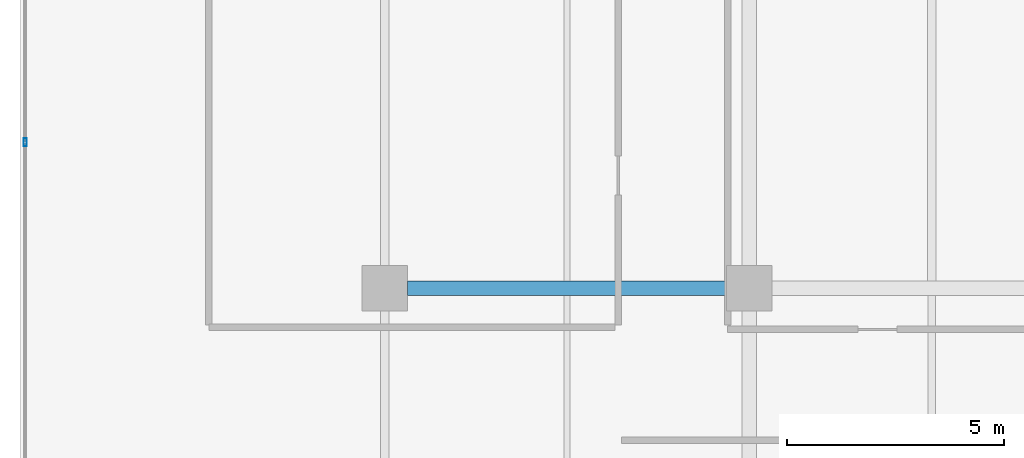
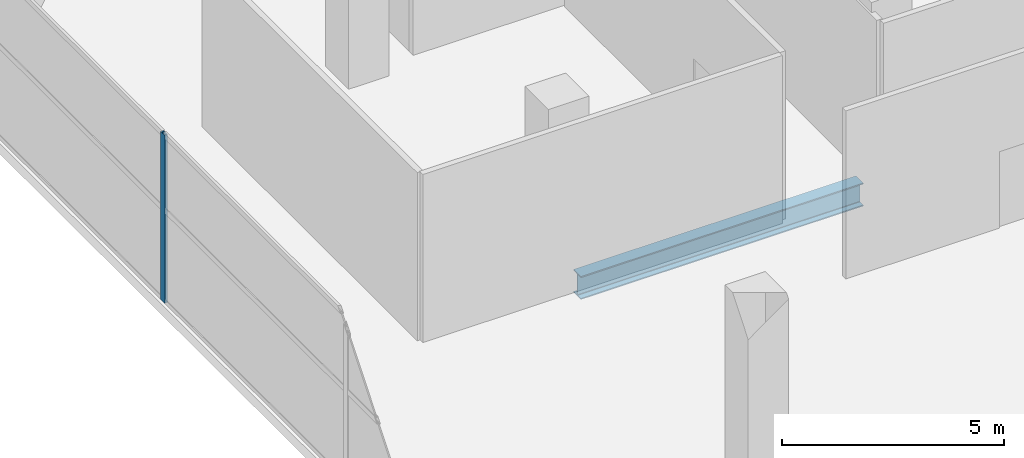
# One storey, part 17 of 39: 1 beam, 1 member, 1 element without a shape of its own.
"""IFC4 building model written with IfcOpenShell, lengths in metres."""

from ifc_helpers import new_model, si_unit, direction, frame, origin, origin_2d, place, context, subcontext, project, spatial, hollow_rectangle, i_section, extrude, material, layer, layer_set, material_profile, profile_set, type_object, element, aggregate, save


model = new_model("IFC4")

# Units and contexts
model_context = context("Model", 3, precision=1e-05, world=origin(), true_north=direction((0.0, 1.0)))
body_context = subcontext(model_context, "Body", "Model", "MODEL_VIEW")
ifc_project = project(units=[si_unit("LENGTHUNIT", "METRE"), si_unit("AREAUNIT", "SQUARE_METRE"), si_unit("VOLUMEUNIT", "CUBIC_METRE"), si_unit("PLANEANGLEUNIT", "RADIAN"), si_unit("MASSUNIT", "GRAM", prefix="KILO")], contexts=[model_context])

# Site, building, storey
site_placement = place(None, origin())
site = spatial("IfcSite", under=ifc_project, at=site_placement, CompositionType="ELEMENT")
building_placement = place(site_placement, origin())
building = spatial("IfcBuilding", under=site, at=building_placement, Name="Maruvema Waterfront Hotel and Observation Tower", CompositionType="ELEMENT")
storey_placement = place(building_placement, frame((0.0, 0.0, 16.449951171875)))
storey = spatial("IfcBuildingStorey", under=building, at=storey_placement, Name="L03", CompositionType="ELEMENT", Elevation=16.449951171875)

# Curtain wall, member
ifc_material_1 = material(Name="Anodised bronze aluminium and solar-control low-E IGU", Category="aluminium")
ifc_layer = layer(ifc_material_1, 0.159912109375, Name="Podium Waterfront Storefront Curtain Wall System CW-01")
ifc_layer_set = layer_set([ifc_layer], Name="Anodised bronze aluminium and solar-control low-E IGU")
curtain_wall_type = type_object("IfcCurtainWallType", Name="Podium Waterfront Storefront Curtain Wall System CW-01", PredefinedType="USERDEFINED", material=ifc_layer_set)
curtain_wall_placement = place(storey_placement, origin())
curtain_wall = element("IfcCurtainWall", 1, at=curtain_wall_placement, inside=storey, type_object=curtain_wall_type, Name="L03 Curtain Wall CW-L03-W", ObjectType="UNITISED CURTAIN WALL", PredefinedType="USERDEFINED")
ifc_material_2 = material(Name="Anodised architectural bronze aluminium", Category="aluminium")
ifc_material_profile_1 = material_profile(ifc_material_2, hollow_rectangle(XDim=0.070068359375, YDim=0.18994140625, WallThickness=0.00390625, at=origin_2d()), Name="ALU-M70x190")
ifc_profile_set_1 = profile_set([ifc_material_profile_1], Name="Anodised architectural bronze aluminium")
member_type = type_object("IfcMemberType", Name="Podium Storefront Heavy Mullion ALU-M70x190", PredefinedType="MULLION", material=ifc_profile_set_1)
member_placement = place(storey_placement, frame((0.1201171875, 39.360107421875, 0.0), z_axis=(0.0, 0.0, 1.0), x_axis=(1.0, 0.0, 0.0)))
member = element("IfcMember", 2, at=member_placement, type_object=member_type, Name="CW-01 mullion 2", PredefinedType="MULLION", context=body_context, shape_type="SweptSolid", body=[
    extrude(hollow_rectangle(XDim=0.070068359375, YDim=0.18994140625, WallThickness=0.00390625, at=origin_2d()), origin(), (0.0, 0.0, 1.0), 4.6201171875),
])
aggregate(curtain_wall, [member])

# Beam
ifc_material_3 = material(Name="Steel ASTM A572 Grade 50", Category="steel")
ifc_material_profile_2 = material_profile(ifc_material_3, i_section(OverallWidth=0.3291015625, OverallDepth=0.635009765625, WebThickness=0.017822265625, FlangeThickness=0.031005859375, FilletRadius=0.01806640625, at=origin_2d()), Name="W610x241.0")
ifc_profile_set_2 = profile_set([ifc_material_profile_2], Name="Steel ASTM A572 Grade 50")
beam_type = type_object("IfcBeamType", Name="Primary Floor Girder W610x241.0", PredefinedType="BEAM", material=ifc_profile_set_2)
beam_placement = place(storey_placement, frame((8.925048828125, 36.0, -0.597412109375), z_axis=(1.0, 0.0, 0.0), x_axis=(0.0, 1.0, 0.0)))
element("IfcBeam", 3, at=beam_placement, inside=storey, type_object=beam_type, Name="L03 Floor Girder EW-25", PredefinedType="BEAM", context=body_context, shape_type="SweptSolid", body=[
    extrude(i_section(OverallWidth=0.3291015625, OverallDepth=0.635009765625, WebThickness=0.017822265625, FlangeThickness=0.031005859375, FilletRadius=0.01806640625, at=origin_2d()), origin(), (0.0, 0.0, 1.0), 7.349853515625),
])

save(model, "model.ifc")
